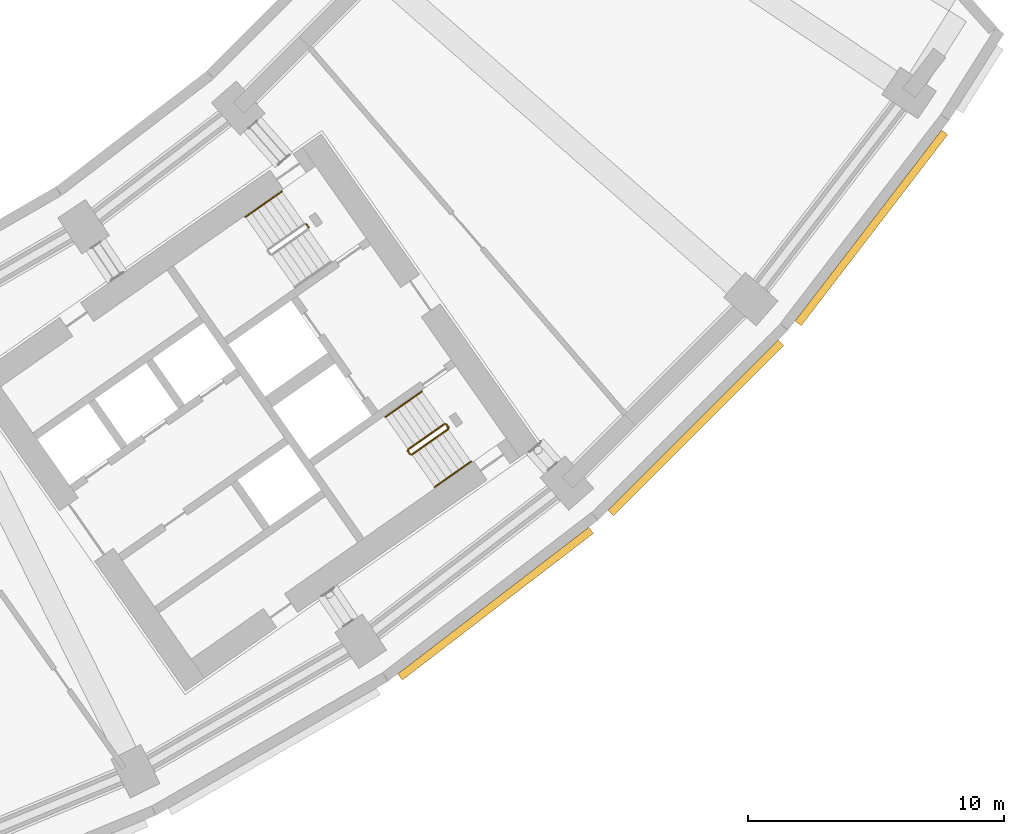
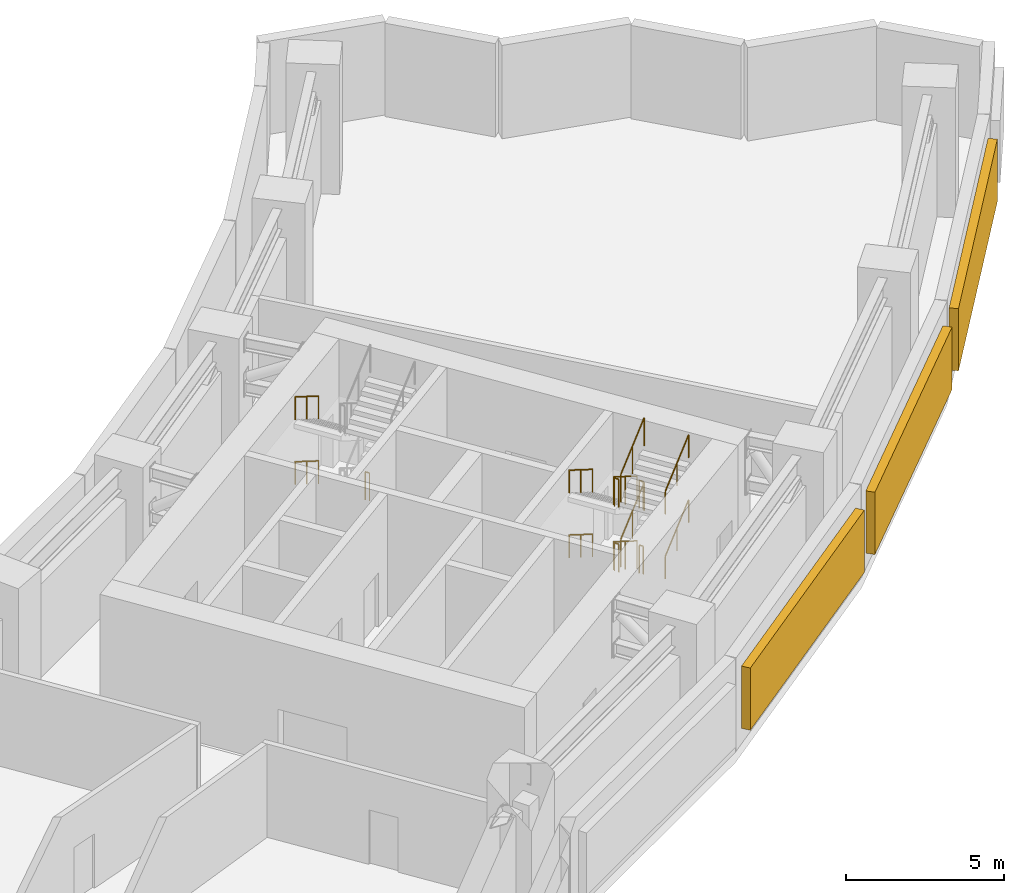
# One storey, part 24 of 25: 12 railings, 3 shading devices.
"""IFC4 building model written with IfcOpenShell, lengths in metres."""

from ifc_helpers import new_model, si_unit, direction, frame, origin, origin_2d, place, context, subcontext, project, spatial, rectangle, circle, extrude, material, type_object, element, save


model = new_model("IFC4")

# Units and contexts
model_context = context("Model", 3, precision=1e-05, world=origin(), true_north=direction((0.0, 1.0)))
body_context = subcontext(model_context, "Body", "Model", "MODEL_VIEW")
ifc_project = project(units=[si_unit("LENGTHUNIT", "METRE"), si_unit("AREAUNIT", "SQUARE_METRE"), si_unit("VOLUMEUNIT", "CUBIC_METRE"), si_unit("PLANEANGLEUNIT", "RADIAN"), si_unit("MASSUNIT", "GRAM", prefix="KILO")], contexts=[model_context])

# Site, building, storey
site_placement = place(None, origin())
site = spatial("IfcSite", under=ifc_project, at=site_placement, CompositionType="ELEMENT")
building_placement = place(site_placement, origin())
building = spatial("IfcBuilding", under=site, at=building_placement, Name="Qamariyya Broadcast Tower", CompositionType="ELEMENT")
storey_placement = place(building_placement, frame((0.0, 0.0, 89.89990234375)))
storey = spatial("IfcBuildingStorey", under=building, at=storey_placement, Name="L19", CompositionType="ELEMENT", Elevation=89.89990234375)

# Railings
ifc_material_1 = material(Name="Painted steel", Category="steel")
railing_type_1 = type_object("IfcRailingType", Name="Stair guard", PredefinedType="GUARDRAIL", material=ifc_material_1)
railing_1_placement = place(storey_placement, frame((41.072998046875, -48.332275390625, 0.0)))
element("IfcRailing", 1, at=railing_1_placement, inside=storey, type_object=railing_type_1, Name="L19 ST-E2 stair guard 5", PredefinedType="GUARDRAIL", context=body_context, shape_type="SweptSolid", body=[
    extrude(circle(Radius=0.02392578125, at=origin_2d()), frame((0.0, 0.0, 1.076171875), z_axis=(0.572588637393, -0.819842821722, 0.0), x_axis=(0.819842821722, 0.572588637393, 0.0)), (0.0, 0.0, 1.0), 0.150146484375),
    extrude(circle(Radius=0.02099609375, at=origin_2d()), origin(), (0.0, 0.0, 1.0), 1.052001953125),
    extrude(circle(Radius=0.02099609375, at=origin_2d()), frame((0.0859375, -0.123046875, 0.0)), (0.0, 0.0, 1.0), 1.052001953125),
])
railing_2_placement = place(storey_placement, frame((46.48095703125, -56.14306640625, 0.1787109375)))
element("IfcRailing", 2, at=railing_2_placement, inside=storey, type_object=railing_type_1, Name="L19 ST-E1 stair guard 1", PredefinedType="GUARDRAIL", context=body_context, shape_type="SweptSolid", body=[
    extrude(circle(Radius=0.02392578125, at=origin_2d()), frame((0.0, 0.0, 1.076171875), z_axis=(-0.697532699334, -0.488440163562, 0.524284598266), x_axis=(0.573594173421, -0.819139624372, 0.0)), (0.0, 0.0, 1.0), 2.04345703125),
    extrude(circle(Radius=0.02392578125, at=origin_2d()), frame((-1.42529296875, -0.998046875, 2.1474609375), z_axis=(-0.176149252506, -0.984363469884, 0.0), x_axis=(0.984363469884, -0.176149252506, 0.0)), (0.0, 0.0, 1.0), 0.07080078125),
    extrude(circle(Radius=0.02392578125, at=origin_2d()), frame((-1.437744140625, -1.067626953125, 2.1474609375), z_axis=(0.574444878118, -0.818543268254, 0.0), x_axis=(0.818543268254, 0.574444878118, 0.0)), (0.0, 0.0, 1.0), 0.150146484375),
    extrude(circle(Radius=0.02099609375, at=origin_2d()), origin(), (0.0, 0.0, 1.0), 1.052001953125),
    extrude(circle(Radius=0.02099609375, at=origin_2d()), frame((-0.712646484375, -0.4990234375, 0.53564453125)), (0.0, 0.0, 1.0), 1.052001953125),
    extrude(circle(Radius=0.02099609375, at=origin_2d()), frame((-1.42529296875, -0.998046875, 1.0712890625)), (0.0, 0.0, 1.0), 1.052001953125),
    extrude(circle(Radius=0.02099609375, at=origin_2d()), frame((-1.437744140625, -1.067626953125, 1.0712890625)), (0.0, 0.0, 1.0), 1.052001953125),
    extrude(circle(Radius=0.02099609375, at=origin_2d()), frame((-1.3515625, -1.1904296875, 1.0712890625)), (0.0, 0.0, 1.0), 1.052001953125),
])
railing_3_placement = place(storey_placement, frame((45.198974609375, -57.345703125, 1.4287109375)))
element("IfcRailing", 3, at=railing_3_placement, inside=storey, type_object=railing_type_1, Name="L19 ST-E1 stair guard 2", PredefinedType="GUARDRAIL", context=body_context, shape_type="SweptSolid", body=[
    extrude(circle(Radius=0.02392578125, at=origin_2d()), frame((0.0, 0.0, 1.076171875), z_axis=(0.697532699334, 0.488440163562, 0.524284598266), x_axis=(-0.573594173421, 0.819139624372, 0.0)), (0.0, 0.0, 1.0), 2.04345703125),
    extrude(circle(Radius=0.02392578125, at=origin_2d()), frame((1.42529296875, 0.998046875, 2.1474609375), z_axis=(-0.357867132547, 0.933772518038, 0.0), x_axis=(-0.933772518038, -0.357867132547, 0.0)), (0.0, 0.0, 1.0), 0.2060546875),
    extrude(circle(Radius=0.02392578125, at=origin_2d()), frame((1.3515625, 1.1904296875, 2.1474609375), z_axis=(0.574444878118, -0.818543268254, 0.0), x_axis=(0.818543268254, 0.574444878118, 0.0)), (0.0, 0.0, 1.0), 0.150146484375),
    extrude(circle(Radius=0.02099609375, at=origin_2d()), origin(), (0.0, 0.0, 1.0), 1.052001953125),
    extrude(circle(Radius=0.02099609375, at=origin_2d()), frame((0.712646484375, 0.4990234375, 0.53564453125)), (0.0, 0.0, 1.0), 1.052001953125),
    extrude(circle(Radius=0.02099609375, at=origin_2d()), frame((1.42529296875, 0.998046875, 1.0712890625)), (0.0, 0.0, 1.0), 1.052001953125),
    extrude(circle(Radius=0.02099609375, at=origin_2d()), frame((1.3515625, 1.1904296875, 1.0712890625)), (0.0, 0.0, 1.0), 1.052001953125),
    extrude(circle(Radius=0.02099609375, at=origin_2d()), frame((1.437744140625, 1.067626953125, 1.0712890625)), (0.0, 0.0, 1.0), 1.052001953125),
])
railing_4_placement = place(storey_placement, frame((46.48095703125, -56.14306640625, 2.6787109375)))
element("IfcRailing", 4, at=railing_4_placement, inside=storey, type_object=railing_type_1, Name="L19 ST-E1 stair guard 3", PredefinedType="GUARDRAIL", context=body_context, shape_type="SweptSolid", body=[
    extrude(circle(Radius=0.02392578125, at=origin_2d()), frame((0.0, 0.0, 1.076171875), z_axis=(-0.697532699334, -0.488440163562, 0.524284598266), x_axis=(0.573594173421, -0.819139624372, 0.0)), (0.0, 0.0, 1.0), 2.04345703125),
    extrude(circle(Radius=0.02392578125, at=origin_2d()), frame((-1.42529296875, -0.998046875, 2.1474609375), z_axis=(-0.176149252506, -0.984363469884, 0.0), x_axis=(0.984363469884, -0.176149252506, 0.0)), (0.0, 0.0, 1.0), 0.07080078125),
    extrude(circle(Radius=0.02392578125, at=origin_2d()), frame((-1.437744140625, -1.067626953125, 2.1474609375), z_axis=(0.574444878118, -0.818543268254, 0.0), x_axis=(0.818543268254, 0.574444878118, 0.0)), (0.0, 0.0, 1.0), 0.150146484375),
    extrude(circle(Radius=0.02099609375, at=origin_2d()), origin(), (0.0, 0.0, 1.0), 1.052001953125),
    extrude(circle(Radius=0.02099609375, at=origin_2d()), frame((-0.712646484375, -0.4990234375, 0.53564453125)), (0.0, 0.0, 1.0), 1.052001953125),
    extrude(circle(Radius=0.02099609375, at=origin_2d()), frame((-1.42529296875, -0.998046875, 1.0712890625)), (0.0, 0.0, 1.0), 1.052001953125),
    extrude(circle(Radius=0.02099609375, at=origin_2d()), frame((-1.437744140625, -1.067626953125, 1.0712890625)), (0.0, 0.0, 1.0), 1.052001953125),
    extrude(circle(Radius=0.02099609375, at=origin_2d()), frame((-1.3515625, -1.1904296875, 1.0712890625)), (0.0, 0.0, 1.0), 1.052001953125),
])
railing_5_placement = place(storey_placement, frame((45.198974609375, -57.345703125, 3.9287109375)))
element("IfcRailing", 5, at=railing_5_placement, inside=storey, type_object=railing_type_1, Name="L19 ST-E1 stair guard 4", PredefinedType="GUARDRAIL", context=body_context, shape_type="SweptSolid", body=[
    extrude(circle(Radius=0.02392578125, at=origin_2d()), frame((0.0, 0.0, 1.076171875), z_axis=(0.697532699334, 0.488440163562, 0.524284598266), x_axis=(-0.573594173421, 0.819139624372, 0.0)), (0.0, 0.0, 1.0), 2.04345703125),
    extrude(circle(Radius=0.02099609375, at=origin_2d()), origin(), (0.0, 0.0, 1.0), 1.052001953125),
    extrude(circle(Radius=0.02099609375, at=origin_2d()), frame((0.712646484375, 0.4990234375, 0.53564453125)), (0.0, 0.0, 1.0), 1.052001953125),
    extrude(circle(Radius=0.02099609375, at=origin_2d()), frame((1.42529296875, 0.998046875, 1.0712890625)), (0.0, 0.0, 1.0), 1.052001953125),
])
railing_6_placement = place(storey_placement, frame((46.550537109375, -56.1552734375, 0.0)))
element("IfcRailing", 6, at=railing_6_placement, inside=storey, type_object=railing_type_1, Name="L19 ST-E1 stair guard 5", PredefinedType="GUARDRAIL", context=body_context, shape_type="SweptSolid", body=[
    extrude(circle(Radius=0.02392578125, at=origin_2d()), frame((0.0, 0.0, 1.076171875), z_axis=(0.574444878118, -0.818543268254, 0.0), x_axis=(0.818543268254, 0.574444878118, 0.0)), (0.0, 0.0, 1.0), 0.150146484375),
    extrude(circle(Radius=0.02099609375, at=origin_2d()), origin(), (0.0, 0.0, 1.0), 1.052001953125),
    extrude(circle(Radius=0.02099609375, at=origin_2d()), frame((0.086181640625, -0.122802734375, 0.0)), (0.0, 0.0, 1.0), 1.052001953125),
])
ifc_material_2 = material(Name="Stainless steel", Category="steel")
railing_type_2 = type_object("IfcRailingType", Name="Stair handrail", PredefinedType="HANDRAIL", material=ifc_material_2)
for number, where, name in (
    (7, (40.1142578125, -47.05029296875, 0.1787109375), "L19 ST-E2 stair handrail 1"),
    (8, (40.1142578125, -47.05029296875, 2.6787109375), "L19 ST-E2 stair handrail 3"),
    (9, (45.591796875, -54.873291015625, 0.1787109375), "L19 ST-E1 stair handrail 1"),
):
    element("IfcRailing", number, at=place(storey_placement, frame(where)), inside=storey, type_object=railing_type_2, Name=name, PredefinedType="HANDRAIL", context=body_context, shape_type="SweptSolid", body=[
        extrude(circle(Radius=0.02392578125, at=origin_2d()), frame((0.0, 0.0, 0.8759765625), z_axis=(-0.697532699334, -0.488440163562, 0.524284598266), x_axis=(0.573594173421, -0.819139624372, 0.0)), (0.0, 0.0, 1.0), 2.04345703125),
        extrude(circle(Radius=0.02099609375, at=origin_2d()), origin(), (0.0, 0.0, 1.0), 0.851806640625),
        extrude(circle(Radius=0.02099609375, at=origin_2d()), frame((-0.712646484375, -0.4990234375, 0.53564453125)), (0.0, 0.0, 1.0), 0.851806640625),
        extrude(circle(Radius=0.02099609375, at=origin_2d()), frame((-1.42529296875, -0.998046875, 1.0712890625)), (0.0, 0.0, 1.0), 0.851806640625),
    ])
railing_7_placement = place(storey_placement, frame((46.088134765625, -58.615478515625, 1.4287109375)))
element("IfcRailing", 10, at=railing_7_placement, inside=storey, type_object=railing_type_2, Name="L19 ST-E1 stair handrail 2", PredefinedType="HANDRAIL", context=body_context, shape_type="SweptSolid", body=[
    extrude(circle(Radius=0.02392578125, at=origin_2d()), frame((0.0, 0.0, 0.8759765625), z_axis=(0.697532699334, 0.488440163562, 0.524284598266), x_axis=(-0.573594173421, 0.819139624372, 0.0)), (0.0, 0.0, 1.0), 2.04345703125),
    extrude(circle(Radius=0.02099609375, at=origin_2d()), origin(), (0.0, 0.0, 1.0), 0.851806640625),
    extrude(circle(Radius=0.02099609375, at=origin_2d()), frame((0.712646484375, 0.4990234375, 0.53564453125)), (0.0, 0.0, 1.0), 0.851806640625),
    extrude(circle(Radius=0.02099609375, at=origin_2d()), frame((1.42529296875, 0.998046875, 1.0712890625)), (0.0, 0.0, 1.0), 0.851806640625),
])
railing_8_placement = place(storey_placement, frame((45.591796875, -54.873291015625, 2.6787109375)))
element("IfcRailing", 11, at=railing_8_placement, inside=storey, type_object=railing_type_2, Name="L19 ST-E1 stair handrail 3", PredefinedType="HANDRAIL", context=body_context, shape_type="SweptSolid", body=[
    extrude(circle(Radius=0.02392578125, at=origin_2d()), frame((0.0, 0.0, 0.8759765625), z_axis=(-0.697532699334, -0.488440163562, 0.524284598266), x_axis=(0.573594173421, -0.819139624372, 0.0)), (0.0, 0.0, 1.0), 2.04345703125),
    extrude(circle(Radius=0.02099609375, at=origin_2d()), origin(), (0.0, 0.0, 1.0), 0.851806640625),
    extrude(circle(Radius=0.02099609375, at=origin_2d()), frame((-0.712646484375, -0.4990234375, 0.53564453125)), (0.0, 0.0, 1.0), 0.851806640625),
    extrude(circle(Radius=0.02099609375, at=origin_2d()), frame((-1.42529296875, -0.998046875, 1.0712890625)), (0.0, 0.0, 1.0), 0.851806640625),
])
railing_9_placement = place(storey_placement, frame((46.088134765625, -58.615478515625, 3.9287109375)))
element("IfcRailing", 12, at=railing_9_placement, inside=storey, type_object=railing_type_2, Name="L19 ST-E1 stair handrail 4", PredefinedType="HANDRAIL", context=body_context, shape_type="SweptSolid", body=[
    extrude(circle(Radius=0.02392578125, at=origin_2d()), frame((0.0, 0.0, 0.8759765625), z_axis=(0.697532699334, 0.488440163562, 0.524284598266), x_axis=(-0.573594173421, 0.819139624372, 0.0)), (0.0, 0.0, 1.0), 2.04345703125),
    extrude(circle(Radius=0.02099609375, at=origin_2d()), origin(), (0.0, 0.0, 1.0), 0.851806640625),
    extrude(circle(Radius=0.02099609375, at=origin_2d()), frame((0.712646484375, 0.4990234375, 0.53564453125)), (0.0, 0.0, 1.0), 0.851806640625),
    extrude(circle(Radius=0.02099609375, at=origin_2d()), frame((1.42529296875, 0.998046875, 1.0712890625)), (0.0, 0.0, 1.0), 0.851806640625),
])

# Shading devices
ifc_material_3 = material(Name="Glazed terracotta", Category="masonry")
shading_device_type = type_object("IfcShadingDeviceType", Name="Terracotta louvre bank", PredefinedType="USERDEFINED", material=ifc_material_3)
for number, where, z_axis, x_axis, name in (
    (13, (48.475341796875, -63.17431640625, 0.60009765625), (0.0, 0.0, 1.0), (0.793353340291, 0.608761429009, 0.0), "e-lv-L19-13"),
    (14, (56.306640625, -56.306640625, 0.60009765625), (0.0, 0.0, 1.0), (0.707106781187, 0.707106781187, 0.0), "e-lv-L19-14"),
    (15, (63.17431640625, -48.475341796875, 0.60009765625), (0.0, 0.0, 1.0), (0.608761429009, 0.793353340291, 0.0), "e-lv-L19-15"),
):
    element("IfcShadingDevice", number, at=place(storey_placement, frame(where, z_axis=z_axis, x_axis=x_axis)), inside=storey, type_object=shading_device_type, Name=name, ObjectType="LOUVRE", PredefinedType="USERDEFINED", context=body_context, shape_type="SweptSolid", body=[
        extrude(rectangle(XDim=9.418701171875, YDim=0.300048828125, at=origin_2d()), origin(), (0.0, 0.0, 1.0), 2.39990234375),
    ])

save(model, "model.ifc")
